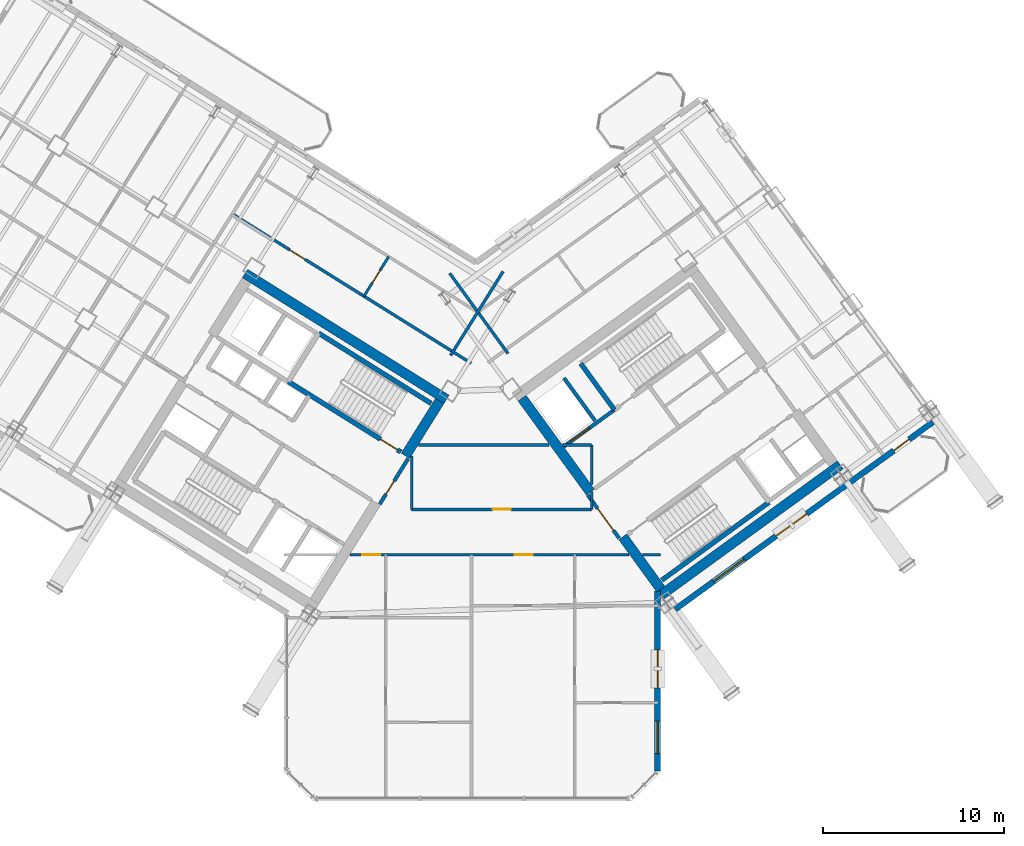
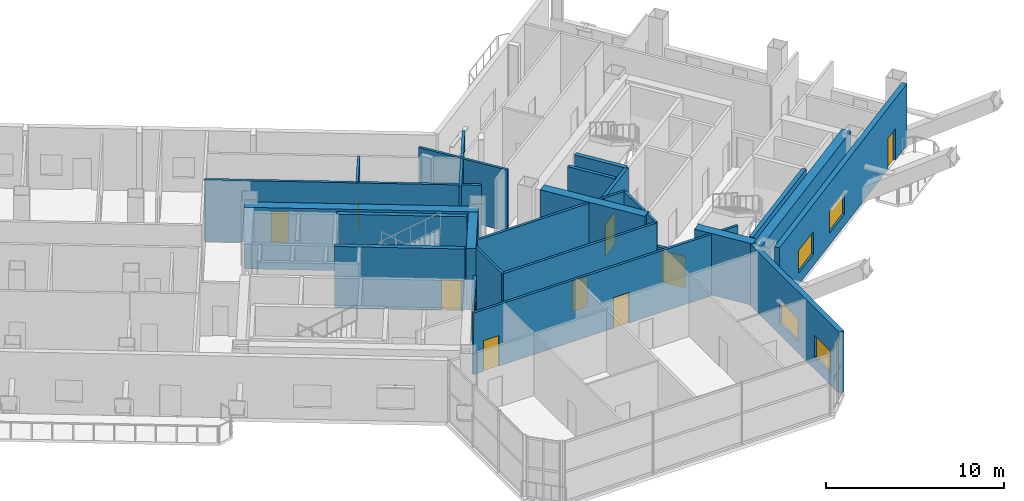
# One storey, part 23 of 32: 27 walls, 10 doors, 4 windows, 14 openings.
"""IFC4 building model written with IfcOpenShell, lengths in metres."""

from ifc_helpers import new_model, si_unit, direction, frame, frame_2d, origin, place, context, subcontext, project, spatial, rectangle, extrude, source, transform, mapped, material, layer, layer_set, type_object, element, fill, save


model = new_model("IFC4")

# Units and contexts
model_context = context("Model", 3, precision=1e-05, world=origin(), true_north=direction((0.0, 1.0)))
body_context = subcontext(model_context, "Body", "Model", "MODEL_VIEW")
ifc_project = project(units=[si_unit("LENGTHUNIT", "METRE"), si_unit("AREAUNIT", "SQUARE_METRE"), si_unit("VOLUMEUNIT", "CUBIC_METRE"), si_unit("PLANEANGLEUNIT", "RADIAN"), si_unit("MASSUNIT", "GRAM", prefix="KILO")], contexts=[model_context])

# Site, building, storey
site_placement = place(None, origin())
site = spatial("IfcSite", under=ifc_project, at=site_placement, CompositionType="ELEMENT")
building_placement = place(site_placement, origin())
building = spatial("IfcBuilding", under=site, at=building_placement, Name="Tlacorven Tower", CompositionType="ELEMENT")
storey_placement = place(building_placement, frame((0.0, 0.0, 123.300048828125)))
storey = spatial("IfcBuildingStorey", under=building, at=storey_placement, Name="L31", CompositionType="ELEMENT", Elevation=123.300048828125)

# Walls
ifc_material_1 = material(Name="Concrete C60/75", Category="concrete")
ifc_layer_1 = layer(ifc_material_1, 0.550048828125)
ifc_layer_set_1 = layer_set([ifc_layer_1], Name="Concrete C60/75")
wall_type_1 = type_object("IfcWallType", Name="WL-COR-550", PredefinedType="SHEAR", material=ifc_layer_set_1)
wall_1_placement = place(storey_placement, frame((40.572998046875, 24.010009765625, 0.0), z_axis=(0.0, 0.0, 1.0), x_axis=(-0.848047359947, 0.529920442413, 0.0)))
element("IfcWall", 1, at=wall_1_placement, inside=storey, type_object=wall_type_1, Name="L31 W core shear wall S1", PredefinedType="SHEAR", context=body_context, shape_type="SweptSolid", body=[
    extrude(rectangle(XDim=13.139892578125, YDim=0.550048828125, at=frame_2d((6.56982421875, 0.0))), origin(), (0.0, 0.0, 1.0), 4.219970703125),
])
wall_2_placement = place(storey_placement, frame((40.194091796875, 23.92236328125, 0.0), z_axis=(0.0, 0.0, 1.0), x_axis=(-0.529888438328, -0.848067357541, 0.0)))
element("IfcWall", 2, at=wall_2_placement, inside=storey, type_object=wall_type_1, Name="L31 W core end wall E1.1", PredefinedType="SHEAR", context=body_context, shape_type="SweptSolid", body=[
    extrude(rectangle(XDim=3.574951171875, YDim=0.550048828125, at=frame_2d((1.78759765625, 0.0))), origin(), (0.0, 0.0, 1.0), 4.219970703125),
])
wall_3_placement = place(storey_placement, frame((52.35888671875, 13.1396484375, 0.0), z_axis=(0.0, 0.0, 1.0), x_axis=(0.809014896919, 0.587788139183, 0.0)))
element("IfcWall", 3, at=wall_3_placement, inside=storey, type_object=wall_type_1, Name="L31 E core shear wall S1", PredefinedType="SHEAR", context=body_context, shape_type="SweptSolid", body=[
    extrude(rectangle(XDim=12.340087890625, YDim=0.550048828125, at=frame_2d((6.169921875, 0.0))), origin(), (0.0, 0.0, 1.0), 4.219970703125),
])
wall_4_placement = place(storey_placement, frame((52.419677734375, 13.52392578125, 0.0), z_axis=(0.0, 0.0, 1.0), x_axis=(-0.587802113096, 0.809004744015, 0.0)))
element("IfcWall", 4, at=wall_4_placement, inside=storey, type_object=wall_type_1, Name="L31 E core end wall E1.1", PredefinedType="SHEAR", context=body_context, shape_type="SweptSolid", body=[
    extrude(rectangle(XDim=3.574951171875, YDim=0.550048828125, at=frame_2d((1.78759765625, 0.0))), origin(), (0.0, 0.0, 1.0), 4.219970703125),
])
wall_5_placement = place(storey_placement, frame((48.525634765625, 18.883544921875, 0.0), z_axis=(0.0, 0.0, 1.0), x_axis=(-0.587764933797, 0.809031756236, 0.0)))
element("IfcWall", 5, at=wall_5_placement, inside=storey, type_object=wall_type_1, Name="L31 E core end wall E1.2", PredefinedType="SHEAR", context=body_context, shape_type="SweptSolid", body=[
    extrude(rectangle(XDim=6.425048828125, YDim=0.550048828125, at=frame_2d((3.21240234375, 0.0))), origin(), (0.0, 0.0, 1.0), 4.219970703125),
])

# Wall, opening, door
ifc_material_2 = material(Name="Gypsum plasterboard acoustic partition", Category="gypsum")
ifc_layer_2 = layer(ifc_material_2, 0.159912109375)
ifc_layer_set_2 = layer_set([ifc_layer_2], Name="Gypsum plasterboard acoustic partition")
wall_type_2 = type_object("IfcWallType", Name="WL-DEM-160", PredefinedType="PARTITIONING", material=ifc_layer_set_2)
wall_6_placement = place(storey_placement, frame((41.93603515625, 26.011962890625, 0.0), z_axis=(0.0, 0.0, 1.0), x_axis=(-0.848051154596, 0.529914369676, 0.0)))
wall_6 = element("IfcWall", 6, at=wall_6_placement, inside=storey, type_object=wall_type_2, Name="L31 partition 66", PredefinedType="PARTITIONING", context=body_context, shape_type="SweptSolid", body=[
    extrude(rectangle(XDim=15.56982421875, YDim=0.159912109375, at=frame_2d((7.784912109375, 0.0))), origin(), (0.0, 0.0, 1.0), 4.2099609375),
])
opening_1_placement = place(wall_6_placement, frame((10.830078125, 0.0, 0.0)))
opening_1 = element("IfcOpeningElement", 7, at=opening_1_placement, cuts=wall_6, Name="Opening D11", PredefinedType="OPENING", context=body_context, shape_type="SweptSolid", body=[
    extrude(rectangle(XDim=1.0, YDim=2.10009765625, at=frame_2d((0.5, 1.050048828125))), frame((0.0, 0.08984375, 0.0), z_axis=(0.0, -1.0, 0.0), x_axis=(1.0, 0.0, 0.0)), (0.0, 0.0, 1.0), 0.179931640625),
])
ifc_material_3 = material(Name="Fire-rated steel door assembly", Category="steel")
door_type_1 = type_object("IfcDoorType", Name="DR-FLT-FD60-1000", OperationType="NOTDEFINED", PredefinedType="DOOR", material=ifc_material_3)
shared_shape_1 = source(origin(), body_context, "Body", "SweptSolid", [
    extrude(rectangle(XDim=1.0, YDim=2.10009765625, at=frame_2d((0.5, 1.050048828125))), frame((0.0, 0.02490234375, 0.0), z_axis=(0.0, -1.0, 0.0), x_axis=(1.0, 0.0, 0.0)), (0.0, 0.0, 1.0), 0.050048828125),
])
door_1_placement = place(opening_1_placement, origin())
door_1 = element("IfcDoor", 8, at=door_1_placement, inside=storey, type_object=door_type_1, Name="L31 door 040", OperationType="SINGLE_SWING_RIGHT", OverallHeight=2.10009765625, OverallWidth=1.0, PredefinedType="DOOR", context=body_context, shape_type="MappedRepresentation", body=[
    mapped(shared_shape_1, transform((0.0, 0.0, 0.0), scale=1.0)),
])
fill(opening_1, door_1)

# Wall
wall_7_placement = place(storey_placement, frame((43.70361328125, 31.086181640625, 0.0), z_axis=(0.0, 0.0, 1.0), x_axis=(-0.529906828443, -0.848055866774, 0.0)))
element("IfcWall", 9, at=wall_7_placement, inside=storey, type_object=wall_type_2, Name="L31 WC West Throat Wall", PredefinedType="PARTITIONING", context=body_context, shape_type="SweptSolid", body=[
    extrude(rectangle(XDim=5.479736328125, YDim=0.159912109375, at=frame_2d((2.73974609375, 0.0))), origin(), (0.0, 0.0, 1.0), 4.2099609375),
])

# Wall, openings, doors
wall_8_placement = place(storey_placement, frame((35.2373046875, 15.419921875, 0.0), z_axis=(0.0, 0.0, 1.0), x_axis=(1.0, 0.0, 0.0)))
wall_8 = element("IfcWall", 10, at=wall_8_placement, inside=storey, type_object=wall_type_2, Name="L31 Knuckle Corridor South Wall", PredefinedType="PARTITIONING", context=body_context, shape_type="SweptSolid", body=[
    extrude(rectangle(XDim=15.431640625, YDim=0.159912109375, at=frame_2d((7.7158203125, 0.0))), origin(), (0.0, 0.0, 1.0), 4.2099609375),
])
opening_2_placement = place(wall_8_placement, frame((0.673583984375, 0.0, 0.0)))
opening_2 = element("IfcOpeningElement", 11, at=opening_2_placement, cuts=wall_8, Name="Opening D11", PredefinedType="OPENING", context=body_context, shape_type="SweptSolid", body=[
    extrude(rectangle(XDim=1.0, YDim=2.10009765625, at=frame_2d((0.5, 1.050048828125))), frame((0.0, 0.08984375, 0.0), z_axis=(0.0, -1.0, 0.0), x_axis=(1.0, 0.0, 0.0)), (0.0, 0.0, 1.0), 0.179931640625),
])
opening_3_placement = place(wall_8_placement, frame((9.093994140625, 0.0, 0.0)))
opening_3 = element("IfcOpeningElement", 12, at=opening_3_placement, cuts=wall_8, Name="Opening D11", PredefinedType="OPENING", context=body_context, shape_type="SweptSolid", body=[
    extrude(rectangle(XDim=1.0, YDim=2.10009765625, at=frame_2d((0.5, 1.050048828125))), frame((0.0, 0.08984375, 0.0), z_axis=(0.0, -1.0, 0.0), x_axis=(1.0, 0.0, 0.0)), (0.0, 0.0, 1.0), 0.179931640625),
])
door_2_placement = place(opening_2_placement, frame((1.0, 0.0, 0.0), z_axis=(0.0, 0.0, 1.0), x_axis=(-1.0, 0.0, 0.0)))
door_2 = element("IfcDoor", 13, at=door_2_placement, inside=storey, type_object=door_type_1, Name="L31 door 048", OperationType="SINGLE_SWING_RIGHT", OverallHeight=2.10009765625, OverallWidth=1.0, PredefinedType="DOOR", context=body_context, shape_type="MappedRepresentation", body=[
    mapped(shared_shape_1, transform((0.0, 0.0, 0.0), scale=1.0)),
])
fill(opening_2, door_2)
door_3_placement = place(opening_3_placement, frame((1.0, 0.0, 0.0), z_axis=(0.0, 0.0, 1.0), x_axis=(-1.0, 0.0, 0.0)))
door_3 = element("IfcDoor", 14, at=door_3_placement, inside=storey, type_object=door_type_1, Name="L31 door 053", OperationType="SINGLE_SWING_LEFT", OverallHeight=2.10009765625, OverallWidth=1.0, PredefinedType="DOOR", context=body_context, shape_type="MappedRepresentation", body=[
    mapped(shared_shape_1, transform((0.0, 0.0, 0.0), scale=1.0)),
])
fill(opening_3, door_3)

# Wall
wall_9_placement = place(storey_placement, frame((51.41552734375, 15.419921875, 0.0), z_axis=(0.0, 0.0, 1.0), x_axis=(1.0, 0.0, 0.0)))
element("IfcWall", 15, at=wall_9_placement, inside=storey, type_object=wall_type_2, Name="L31 Knuckle Corridor South Wall", PredefinedType="PARTITIONING", context=body_context, shape_type="SweptSolid", body=[
    extrude(rectangle(XDim=0.984375, YDim=0.159912109375, at=frame_2d((0.4921875, 0.0))), origin(), (0.0, 0.0, 1.0), 4.2099609375),
])

# Wall, opening, door
wall_10_placement = place(storey_placement, frame((38.64990234375, 17.929931640625, 0.0), z_axis=(0.0, 0.0, 1.0), x_axis=(1.0, 0.0, 0.0)))
wall_10 = element("IfcWall", 16, at=wall_10_placement, inside=storey, type_object=wall_type_2, Name="L31 partition 72", PredefinedType="PARTITIONING", context=body_context, shape_type="SweptSolid", body=[
    extrude(rectangle(XDim=9.9501953125, YDim=0.159912109375, at=frame_2d((4.97509765625, 0.0))), origin(), (0.0, 0.0, 1.0), 4.2099609375),
])
opening_4_placement = place(wall_10_placement, frame((4.47509765625, 0.0, 0.0)))
opening_4 = element("IfcOpeningElement", 17, at=opening_4_placement, cuts=wall_10, Name="Opening D11", PredefinedType="OPENING", context=body_context, shape_type="SweptSolid", body=[
    extrude(rectangle(XDim=1.0, YDim=2.10009765625, at=frame_2d((0.5, 1.050048828125))), frame((0.0, 0.08984375, 0.0), z_axis=(0.0, -1.0, 0.0), x_axis=(1.0, 0.0, 0.0)), (0.0, 0.0, 1.0), 0.179931640625),
])
door_4_placement = place(opening_4_placement, origin())
door_4 = element("IfcDoor", 18, at=door_4_placement, inside=storey, type_object=door_type_1, Name="L31 door 043", OperationType="SINGLE_SWING_LEFT", OverallHeight=2.10009765625, OverallWidth=1.0, PredefinedType="DOOR", context=body_context, shape_type="MappedRepresentation", body=[
    mapped(shared_shape_1, transform((0.0, 0.0, 0.0), scale=1.0)),
])
fill(opening_4, door_4)

# Walls
wall_11_placement = place(storey_placement, frame((38.64990234375, 17.929931640625, 0.0), z_axis=(0.0, 0.0, 1.0), x_axis=(0.0, 1.0, 0.0)))
element("IfcWall", 19, at=wall_11_placement, inside=storey, type_object=wall_type_2, Name="L31 partition 73", PredefinedType="PARTITIONING", context=body_context, shape_type="SweptSolid", body=[
    extrude(rectangle(XDim=2.951416015625, YDim=0.159912109375, at=frame_2d((1.4755859375, 0.0))), origin(), (0.0, 0.0, 1.0), 4.2099609375),
])
wall_12_placement = place(storey_placement, frame((48.60009765625, 17.929931640625, 0.0), z_axis=(0.0, 0.0, 1.0), x_axis=(0.0, 1.0, 0.0)))
element("IfcWall", 20, at=wall_12_placement, inside=storey, type_object=wall_type_2, Name="L31 partition 74", PredefinedType="PARTITIONING", context=body_context, shape_type="SweptSolid", body=[
    extrude(rectangle(XDim=0.99267578125, YDim=0.159912109375, at=frame_2d((0.496337890625, 0.0))), origin(), (0.0, 0.0, 1.0), 4.2099609375),
])
wall_13_placement = place(storey_placement, frame((48.60009765625, 19.295166015625, 0.0), z_axis=(0.0, 0.0, 1.0), x_axis=(0.0, 1.0, 0.0)))
element("IfcWall", 21, at=wall_13_placement, inside=storey, type_object=wall_type_2, Name="L31 partition 74", PredefinedType="PARTITIONING", context=body_context, shape_type="SweptSolid", body=[
    extrude(rectangle(XDim=2.204833984375, YDim=0.159912109375, at=frame_2d((1.1025390625, 0.0))), origin(), (0.0, 0.0, 1.0), 4.2099609375),
])
wall_14_placement = place(storey_placement, frame((39.03662109375, 21.5, 0.0), z_axis=(0.0, 0.0, 1.0), x_axis=(1.0, 0.0, 0.0)))
element("IfcWall", 22, at=wall_14_placement, inside=storey, type_object=wall_type_2, Name="L31 partition 75", PredefinedType="PARTITIONING", context=body_context, shape_type="SweptSolid", body=[
    extrude(rectangle(XDim=7.21484375, YDim=0.159912109375, at=frame_2d((3.607421875, 0.0))), origin(), (0.0, 0.0, 1.0), 4.2099609375),
])
wall_15_placement = place(storey_placement, frame((46.998046875, 21.5, 0.0), z_axis=(0.0, 0.0, 1.0), x_axis=(1.0, 0.0, 0.0)))
element("IfcWall", 23, at=wall_15_placement, inside=storey, type_object=wall_type_2, Name="L31 partition 75", PredefinedType="PARTITIONING", context=body_context, shape_type="SweptSolid", body=[
    extrude(rectangle(XDim=1.60205078125, YDim=0.159912109375, at=frame_2d((0.801025390625, 0.0))), origin(), (0.0, 0.0, 1.0), 4.2099609375),
])
wall_16_placement = place(storey_placement, frame((43.969482421875, 26.549560546875, 0.0), z_axis=(0.0, 0.0, 1.0), x_axis=(-0.587776919386, 0.80902304852, 0.0)))
element("IfcWall", 24, at=wall_16_placement, inside=storey, type_object=wall_type_2, Name="L31 EC West Throat Wall", PredefinedType="PARTITIONING", context=body_context, shape_type="SweptSolid", body=[
    extrude(rectangle(XDim=5.47998046875, YDim=0.159912109375, at=frame_2d((2.739990234375, 0.0))), origin(), (0.0, 0.0, 1.0), 4.2099609375),
])

# Wall, openings, door, windows
ifc_material_4 = material(Name="Precast concrete C45/55", Category="concrete")
ifc_layer_3 = layer(ifc_material_4, 0.320068359375)
ifc_layer_set_3 = layer_set([ifc_layer_3], Name="Precast concrete C45/55")
wall_type_3 = type_object("IfcWallType", Name="WL-EXT-320", PredefinedType="STANDARD", material=ifc_layer_set_3)
wall_17_placement = place(storey_placement, frame((67.45361328125, 22.746826171875, 0.0), z_axis=(0.0, 0.0, 1.0), x_axis=(-0.809021120468, -0.587779573171, 0.0)))
wall_17 = element("IfcWall", 25, at=wall_17_placement, inside=storey, type_object=wall_type_3, Name="L31 Masonry-Frame Recessed Facade Wall 6", PredefinedType="STANDARD", context=body_context, shape_type="SweptSolid", body=[
    extrude(rectangle(XDim=17.587646484375, YDim=0.320068359375, at=frame_2d((8.7939453125, 0.0))), origin(), (0.0, 0.0, 1.0), 4.219970703125),
])
opening_5_placement = place(wall_17_placement, frame((1.611083984375, 0.0, 0.0)))
opening_5 = element("IfcOpeningElement", 26, at=opening_5_placement, cuts=wall_17, Name="Opening D06", PredefinedType="OPENING", context=body_context, shape_type="SweptSolid", body=[
    extrude(rectangle(XDim=1.050048828125, YDim=2.14990234375, at=frame_2d((0.52490234375, 1.074951171875))), frame((0.0, 0.169921875, 0.0), z_axis=(0.0, -1.0, 0.0), x_axis=(1.0, 0.0, 0.0)), (0.0, 0.0, 1.0), 0.340087890625),
])
opening_6_placement = place(wall_17_placement, frame((8.606201171875, 0.0, 0.800048828125)))
opening_6 = element("IfcOpeningElement", 27, at=opening_6_placement, cuts=wall_17, Name="Opening WN04", PredefinedType="OPENING", context=body_context, shape_type="SweptSolid", body=[
    extrude(rectangle(XDim=2.10009765625, YDim=1.550048828125, at=frame_2d((1.050048828125, 0.77490234375))), frame((0.0, 0.169921875, 0.0), z_axis=(0.0, -1.0, 0.0), x_axis=(1.0, 0.0, 0.0)), (0.0, 0.0, 1.0), 0.340087890625),
])
opening_7_placement = place(wall_17_placement, frame((12.881103515625, 0.0, 0.800048828125)))
opening_7 = element("IfcOpeningElement", 28, at=opening_7_placement, cuts=wall_17, Name="Opening WN04", PredefinedType="OPENING", context=body_context, shape_type="SweptSolid", body=[
    extrude(rectangle(XDim=2.10009765625, YDim=1.550048828125, at=frame_2d((1.050048828125, 0.77490234375))), frame((0.0, 0.169921875, 0.0), z_axis=(0.0, -1.0, 0.0), x_axis=(1.0, 0.0, 0.0)), (0.0, 0.0, 1.0), 0.340087890625),
])
ifc_material_5 = material(Name="Powder-coated aluminium and timber door", Category="wood")
door_type_2 = type_object("IfcDoorType", Name="DR-EXT-BALC-1050", OperationType="NOTDEFINED", PredefinedType="DOOR", material=ifc_material_5)
shared_shape_2 = source(origin(), body_context, "Body", "SweptSolid", [
    extrude(rectangle(XDim=1.050048828125, YDim=2.14990234375, at=frame_2d((0.52490234375, 1.074951171875))), frame((0.0, 0.02490234375, 0.0), z_axis=(0.0, -1.0, 0.0), x_axis=(1.0, 0.0, 0.0)), (0.0, 0.0, 1.0), 0.050048828125),
])
door_5_placement = place(opening_5_placement, origin())
door_5 = element("IfcDoor", 29, at=door_5_placement, inside=storey, type_object=door_type_2, Name="L31 Outdoor Access Door BAL-L31-E-OUT", OperationType="SINGLE_SWING_LEFT", OverallHeight=2.14990234375, OverallWidth=1.050048828125, PredefinedType="DOOR", context=body_context, shape_type="MappedRepresentation", body=[
    mapped(shared_shape_2, transform((0.0, 0.0, 0.0), scale=1.0)),
])
fill(opening_5, door_5)
ifc_material_6 = material(Name="Dark solar low-E double glazing in anodised aluminium frame", Category="aluminium")
window_type_1 = type_object("IfcWindowType", Name="WN-APT-2100X1750", PartitioningType="SINGLE_PANEL", PredefinedType="WINDOW", material=ifc_material_6)
shared_shape_3 = source(origin(), body_context, "Body", "SweptSolid", [
    extrude(rectangle(XDim=2.10009765625, YDim=1.550048828125, at=frame_2d((1.050048828125, 0.77490234375))), frame((0.0, 0.030029296875, 0.0), z_axis=(0.0, -1.0, 0.0), x_axis=(1.0, 0.0, 0.0)), (0.0, 0.0, 1.0), 0.06005859375),
])
window_1_placement = place(opening_6_placement, origin())
window_1 = element("IfcWindow", 30, at=window_1_placement, inside=storey, type_object=window_type_1, Name="L31 Recessed Masonry-Frame Window L31-06.1", OverallHeight=1.550048828125, OverallWidth=2.10009765625, PartitioningType="SINGLE_PANEL", PredefinedType="WINDOW", context=body_context, shape_type="MappedRepresentation", body=[
    mapped(shared_shape_3, transform((0.0, 0.0, 0.0), scale=1.0)),
])
fill(opening_6, window_1)
window_2_placement = place(opening_7_placement, origin())
window_2 = element("IfcWindow", 31, at=window_2_placement, inside=storey, type_object=window_type_1, Name="L31 Recessed Masonry-Frame Window L31-06.2", OverallHeight=1.550048828125, OverallWidth=2.10009765625, PartitioningType="SINGLE_PANEL", PredefinedType="WINDOW", context=body_context, shape_type="MappedRepresentation", body=[
    mapped(shared_shape_3, transform((0.0, 0.0, 0.0), scale=1.0)),
])
fill(opening_7, window_2)

# Wall, openings, windows
wall_18_placement = place(storey_placement, frame((52.239990234375, 13.4140625, 0.0), z_axis=(0.0, 0.0, 1.0), x_axis=(0.0, -1.0, 0.0)))
wall_18 = element("IfcWall", 32, at=wall_18_placement, inside=storey, type_object=wall_type_3, Name="L31 Masonry-Frame Recessed Facade Wall 7", PredefinedType="STANDARD", context=body_context, shape_type="SweptSolid", body=[
    extrude(rectangle(XDim=9.94775390625, YDim=0.320068359375, at=frame_2d((4.973876953125, 0.0))), origin(), (0.0, 0.0, 1.0), 4.219970703125),
])
opening_8_placement = place(wall_18_placement, frame((3.246826171875, 0.0, 0.800048828125)))
opening_8 = element("IfcOpeningElement", 33, at=opening_8_placement, cuts=wall_18, Name="Opening WN04", PredefinedType="OPENING", context=body_context, shape_type="SweptSolid", body=[
    extrude(rectangle(XDim=2.10009765625, YDim=1.550048828125, at=frame_2d((1.050048828125, 0.77490234375))), frame((0.0, 0.169921875, 0.0), z_axis=(0.0, -1.0, 0.0), x_axis=(1.0, 0.0, 0.0)), (0.0, 0.0, 1.0), 0.340087890625),
])
opening_9_placement = place(wall_18_placement, frame((7.183349609375, 0.0, 0.85009765625)))
opening_9 = element("IfcOpeningElement", 34, at=opening_9_placement, cuts=wall_18, Name="Opening WN01", PredefinedType="OPENING", context=body_context, shape_type="SweptSolid", body=[
    extrude(rectangle(XDim=1.800048828125, YDim=1.5, at=frame_2d((0.89990234375, 0.75))), frame((0.0, 0.169921875, 0.0), z_axis=(0.0, -1.0, 0.0), x_axis=(1.0, 0.0, 0.0)), (0.0, 0.0, 1.0), 0.340087890625),
])
window_3_placement = place(opening_8_placement, origin())
window_3 = element("IfcWindow", 35, at=window_3_placement, inside=storey, type_object=window_type_1, Name="L31 Recessed Masonry-Frame Window L31-07.1", OverallHeight=1.550048828125, OverallWidth=2.10009765625, PartitioningType="SINGLE_PANEL", PredefinedType="WINDOW", context=body_context, shape_type="MappedRepresentation", body=[
    mapped(shared_shape_3, transform((0.0, 0.0, 0.0), scale=1.0)),
])
fill(opening_8, window_3)
window_type_2 = type_object("IfcWindowType", Name="WN-APT-1800X1650", PartitioningType="SINGLE_PANEL", PredefinedType="WINDOW", material=ifc_material_6)
shared_shape_4 = source(origin(), body_context, "Body", "SweptSolid", [
    extrude(rectangle(XDim=1.800048828125, YDim=1.5, at=frame_2d((0.89990234375, 0.75))), frame((0.0, 0.030029296875, 0.0), z_axis=(0.0, -1.0, 0.0), x_axis=(1.0, 0.0, 0.0)), (0.0, 0.0, 1.0), 0.06005859375),
])
window_4_placement = place(opening_9_placement, origin())
window_4 = element("IfcWindow", 36, at=window_4_placement, inside=storey, type_object=window_type_2, Name="L31 Recessed Masonry-Frame Window L31-07.2", OverallHeight=1.5, OverallWidth=1.800048828125, PartitioningType="SINGLE_PANEL", PredefinedType="WINDOW", context=body_context, shape_type="MappedRepresentation", body=[
    mapped(shared_shape_4, transform((0.0, 0.0, 0.0), scale=1.0)),
])
fill(opening_9, window_4)

# Wall, opening, door
ifc_material_7 = material(Name="Moisture-resistant gypsum plumbing wall", Category="gypsum")
ifc_layer_4 = layer(ifc_material_7, 0.139892578125)
ifc_layer_set_4 = layer_set([ifc_layer_4], Name="Moisture-resistant gypsum plumbing wall")
wall_type_4 = type_object("IfcWallType", Name="WL-PLM-140", PredefinedType="PLUMBINGWALL", material=ifc_layer_set_4)
wall_19_placement = place(storey_placement, frame((37.37548828125, 31.904052734375, 0.0), z_axis=(0.0, 0.0, 1.0), x_axis=(-0.529913878929, -0.848051461244, 0.0)))
wall_19 = element("IfcWall", 37, at=wall_19_placement, inside=storey, type_object=wall_type_4, Name="L31 partition 69", PredefinedType="PLUMBINGWALL", context=body_context, shape_type="SweptSolid", body=[
    extrude(rectangle(XDim=2.580078125, YDim=0.139892578125, at=frame_2d((1.2900390625, 0.0))), origin(), (0.0, 0.0, 1.0), 4.2099609375),
])
opening_10_placement = place(wall_19_placement, frame((0.89990234375, 0.0, 0.0)))
opening_10 = element("IfcOpeningElement", 38, at=opening_10_placement, cuts=wall_19, Name="Opening D22", PredefinedType="OPENING", context=body_context, shape_type="SweptSolid", body=[
    extrude(rectangle(XDim=0.780029296875, YDim=2.050048828125, at=frame_2d((0.39013671875, 1.02490234375))), frame((0.0, 0.080078125, 0.0), z_axis=(0.0, -1.0, 0.0), x_axis=(1.0, 0.0, 0.0)), (0.0, 0.0, 1.0), 0.159912109375),
])
door_type_3 = type_object("IfcDoorType", Name="DR-INT-WET-0780", OperationType="NOTDEFINED", PredefinedType="DOOR", material=ifc_material_5)
shared_shape_5 = source(origin(), body_context, "Body", "SweptSolid", [
    extrude(rectangle(XDim=0.780029296875, YDim=2.050048828125, at=frame_2d((0.39013671875, 1.02490234375))), frame((0.0, 0.02490234375, 0.0), z_axis=(0.0, -1.0, 0.0), x_axis=(1.0, 0.0, 0.0)), (0.0, 0.0, 1.0), 0.050048828125),
])
door_6_placement = place(opening_10_placement, origin())
door_6 = element("IfcDoor", 39, at=door_6_placement, inside=storey, type_object=door_type_3, Name="L31 door 042", OperationType="SINGLE_SWING_RIGHT", OverallHeight=2.050048828125, OverallWidth=0.780029296875, PredefinedType="DOOR", context=body_context, shape_type="MappedRepresentation", body=[
    mapped(shared_shape_5, transform((0.0, 0.0, 0.0), scale=1.0)),
])
fill(opening_10, door_6)

ifc_material_8 = material(Name="Concrete C40/50", Category="concrete")
ifc_layer_5 = layer(ifc_material_8, 0.199951171875)
ifc_layer_set_5 = layer_set([ifc_layer_5], Name="Concrete C40/50")
wall_type_5 = type_object("IfcWallType", Name="WL-SHF-200", PredefinedType="STANDARD", material=ifc_layer_set_5)
wall_20_placement = place(storey_placement, frame((47.0654296875, 21.4072265625, 0.0), z_axis=(0.0, 0.0, 1.0), x_axis=(0.809032984992, 0.587763242466, 0.0)))
wall_20 = element("IfcWall", 40, at=wall_20_placement, inside=storey, type_object=wall_type_5, Name="L31 Core E Firefighting Lift Shaft Front Wall", PredefinedType="STANDARD", context=body_context, shape_type="SweptSolid", body=[
    extrude(rectangle(XDim=3.447998046875, YDim=0.199951171875, at=frame_2d((1.72412109375, 0.0))), origin(), (0.0, 0.0, 1.0), 4.2099609375),
])
opening_11_placement = place(wall_20_placement, frame((0.4580078125, 0.0, 0.0)))
opening_11 = element("IfcOpeningElement", 41, at=opening_11_placement, cuts=wall_20, Name="Opening LD03", PredefinedType="OPENING", context=body_context, shape_type="SweptSolid", body=[
    extrude(rectangle(XDim=1.300048828125, YDim=2.199951171875, at=frame_2d((0.64990234375, 1.10009765625))), frame((0.0, 0.10986328125, 0.0), z_axis=(0.0, -1.0, 0.0), x_axis=(1.0, 0.0, 0.0)), (0.0, 0.0, 1.0), 0.219970703125),
])
door_type_4 = type_object("IfcDoorType", Name="DR-LFT-SLID-1300", OperationType="DOUBLE_DOOR_SLIDING", PredefinedType="DOOR", material=ifc_material_3)
shared_shape_6 = source(origin(), body_context, "Body", "SweptSolid", [
    extrude(rectangle(XDim=1.300048828125, YDim=2.199951171875, at=frame_2d((0.64990234375, 1.10009765625))), frame((0.0, 0.02490234375, 0.0), z_axis=(0.0, -1.0, 0.0), x_axis=(1.0, 0.0, 0.0)), (0.0, 0.0, 1.0), 0.050048828125),
])
door_7_placement = place(opening_11_placement, origin())
door_7 = element("IfcDoor", 42, at=door_7_placement, inside=storey, type_object=door_type_4, Name="L31 Lift FFL-E1 Sliding Landing Door", OperationType="DOUBLE_DOOR_SLIDING", OverallHeight=2.199951171875, OverallWidth=1.300048828125, PredefinedType="DOOR", context=body_context, shape_type="MappedRepresentation", body=[
    mapped(shared_shape_6, transform((0.0, 0.0, 0.0), scale=1.0)),
])
fill(opening_11, door_7)

# Wall
wall_21_placement = place(storey_placement, frame((48.78564453125, 22.830078125, 0.0), z_axis=(0.0, 0.0, 1.0), x_axis=(-0.587783856777, 0.809018008275, 0.0)))
element("IfcWall", 43, at=wall_21_placement, inside=storey, type_object=wall_type_5, Name="L31 partition 33", PredefinedType="STANDARD", context=body_context, shape_type="SweptSolid", body=[
    extrude(rectangle(XDim=2.919921875, YDim=0.199951171875, at=frame_2d((1.4599609375, 0.0))), origin(), (0.0, 0.0, 1.0), 4.2099609375),
])

# Wall, opening, door
wall_22_placement = place(storey_placement, frame((38.451416015625, 20.737060546875, 0.0), z_axis=(0.0, 0.0, 1.0), x_axis=(-0.529924799939, -0.848044637038, 0.0)))
wall_22 = element("IfcWall", 44, at=wall_22_placement, inside=storey, type_object=wall_type_5, Name="L31 partition 70", PredefinedType="STANDARD", context=body_context, shape_type="SweptSolid", body=[
    extrude(rectangle(XDim=2.9599609375, YDim=0.199951171875, at=frame_2d((1.47998046875, 0.0))), origin(), (0.0, 0.0, 1.0), 2.39501953125),
])
opening_12_placement = place(wall_22_placement, frame((1.4599609375, 0.0, 0.0)))
opening_12 = element("IfcOpeningElement", 45, at=opening_12_placement, cuts=wall_22, Name="Opening D19", PredefinedType="OPENING", context=body_context, shape_type="SweptSolid", body=[
    extrude(rectangle(XDim=0.860107421875, YDim=2.050048828125, at=frame_2d((0.43017578125, 1.02490234375))), frame((0.0, 0.10986328125, 0.0), z_axis=(0.0, -1.0, 0.0), x_axis=(1.0, 0.0, 0.0)), (0.0, 0.0, 1.0), 0.219970703125),
])
door_type_5 = type_object("IfcDoorType", Name="DR-RSR-FD60-0860", OperationType="NOTDEFINED", PredefinedType="DOOR", material=ifc_material_3)
shared_shape_7 = source(origin(), body_context, "Body", "SweptSolid", [
    extrude(rectangle(XDim=0.860107421875, YDim=2.050048828125, at=frame_2d((0.43017578125, 1.02490234375))), frame((0.0, 0.02490234375, 0.0), z_axis=(0.0, -1.0, 0.0), x_axis=(1.0, 0.0, 0.0)), (0.0, 0.0, 1.0), 0.050048828125),
])
door_8_placement = place(opening_12_placement, frame((0.860107421875, 0.0, 0.0), z_axis=(0.0, 0.0, 1.0), x_axis=(-1.0, 0.0, 0.0)))
door_8 = element("IfcDoor", 46, at=door_8_placement, inside=storey, type_object=door_type_5, Name="L31 door 044", OperationType="SINGLE_SWING_LEFT", OverallHeight=2.050048828125, OverallWidth=0.860107421875, PredefinedType="DOOR", context=body_context, shape_type="MappedRepresentation", body=[
    mapped(shared_shape_7, transform((0.0, 0.0, 0.0), scale=1.0)),
])
fill(opening_12, door_8)

wall_23_placement = place(storey_placement, frame((50.119140625, 16.3330078125, 0.0), z_axis=(0.0, 0.0, 1.0), x_axis=(-0.587749856981, 0.809042709391, 0.0)))
wall_23 = element("IfcWall", 47, at=wall_23_placement, inside=storey, type_object=wall_type_5, Name="L31 partition 76", PredefinedType="STANDARD", context=body_context, shape_type="SweptSolid", body=[
    extrude(rectangle(XDim=2.9599609375, YDim=0.199951171875, at=frame_2d((1.47998046875, 0.0))), origin(), (0.0, 0.0, 1.0), 2.39501953125),
])
opening_13_placement = place(wall_23_placement, frame((0.530029296875, 0.0, 0.0)))
opening_13 = element("IfcOpeningElement", 48, at=opening_13_placement, cuts=wall_23, Name="Opening D10", PredefinedType="OPENING", context=body_context, shape_type="SweptSolid", body=[
    extrude(rectangle(XDim=1.5, YDim=2.14990234375, at=frame_2d((0.75, 1.074951171875))), frame((0.0, 0.10986328125, 0.0), z_axis=(0.0, -1.0, 0.0), x_axis=(1.0, 0.0, 0.0)), (0.0, 0.0, 1.0), 0.219970703125),
])
door_type_6 = type_object("IfcDoorType", Name="DR-LOB-FD60-1500", OperationType="DOUBLE_DOOR_SINGLE_SWING", PredefinedType="DOOR", material=ifc_material_3)
shared_shape_8 = source(origin(), body_context, "Body", "SweptSolid", [
    extrude(rectangle(XDim=1.5, YDim=2.14990234375, at=frame_2d((0.75, 1.074951171875))), frame((0.0, 0.02490234375, 0.0), z_axis=(0.0, -1.0, 0.0), x_axis=(1.0, 0.0, 0.0)), (0.0, 0.0, 1.0), 0.050048828125),
])
door_9_placement = place(opening_13_placement, frame((1.5, 0.0, 0.0), z_axis=(0.0, 0.0, 1.0), x_axis=(-1.0, 0.0, 0.0)))
door_9 = element("IfcDoor", 49, at=door_9_placement, inside=storey, type_object=door_type_6, Name="L31 door 045", OperationType="DOUBLE_DOOR_SINGLE_SWING", OverallHeight=2.14990234375, OverallWidth=1.5, PredefinedType="DOOR", context=body_context, shape_type="MappedRepresentation", body=[
    mapped(shared_shape_8, transform((0.0, 0.0, 0.0), scale=1.0)),
])
fill(opening_13, door_9)

# Wall
ifc_material_9 = material(Name="Concrete C50/60", Category="concrete")
ifc_layer_6 = layer(ifc_material_9, 0.260009765625)
ifc_layer_set_6 = layer_set([ifc_layer_6], Name="Concrete C50/60")
wall_type_6 = type_object("IfcWallType", Name="WL-STW-260", PredefinedType="SHEAR", material=ifc_layer_set_6)
wall_24_placement = place(storey_placement, frame((39.720947265625, 23.787841796875, 0.0), z_axis=(0.0, 0.0, 1.0), x_axis=(-0.848054434086, 0.529909121291, 0.0)))
element("IfcWall", 50, at=wall_24_placement, inside=storey, type_object=wall_type_6, Name="L31 Stair W2 Far Shear Wall", PredefinedType="SHEAR", context=body_context, shape_type="SweptSolid", body=[
    extrude(rectangle(XDim=7.330078125, YDim=0.260009765625, at=frame_2d((3.6650390625, 0.0))), origin(), (0.0, 0.0, 1.0), 4.219970703125),
])

# Wall, opening, door
wall_25_placement = place(storey_placement, frame((38.04638671875, 21.10791015625, 0.0), z_axis=(0.0, 0.0, 1.0), x_axis=(-0.848054434086, 0.529909121291, 0.0)))
wall_25 = element("IfcWall", 51, at=wall_25_placement, inside=storey, type_object=wall_type_6, Name="L31 Stair W2 Lobby Shear Wall", PredefinedType="SHEAR", context=body_context, shape_type="SweptSolid", body=[
    extrude(rectangle(XDim=7.330078125, YDim=0.260009765625, at=frame_2d((3.6650390625, 0.0))), origin(), (0.0, 0.0, 1.0), 4.219970703125),
])
opening_14_placement = place(wall_25_placement, frame((0.219970703125, 0.0, 0.0)))
opening_14 = element("IfcOpeningElement", 52, at=opening_14_placement, cuts=wall_25, Name="Opening D07", PredefinedType="OPENING", context=body_context, shape_type="SweptSolid", body=[
    extrude(rectangle(XDim=1.10009765625, YDim=2.10009765625, at=frame_2d((0.550048828125, 1.050048828125))), frame((0.0, 0.14013671875, 0.0), z_axis=(0.0, -1.0, 0.0), x_axis=(1.0, 0.0, 0.0)), (0.0, 0.0, 1.0), 0.280029296875),
])
door_type_7 = type_object("IfcDoorType", Name="DR-STR-FD90-1100", OperationType="NOTDEFINED", PredefinedType="DOOR", material=ifc_material_3)
shared_shape_9 = source(origin(), body_context, "Body", "SweptSolid", [
    extrude(rectangle(XDim=1.10009765625, YDim=2.10009765625, at=frame_2d((0.550048828125, 1.050048828125))), frame((0.0, 0.02490234375, 0.0), z_axis=(0.0, -1.0, 0.0), x_axis=(1.0, 0.0, 0.0)), (0.0, 0.0, 1.0), 0.050048828125),
])
door_10_placement = place(opening_14_placement, origin())
door_10 = element("IfcDoor", 53, at=door_10_placement, inside=storey, type_object=door_type_7, Name="L31 Exit Stair W2 Fire Door", OperationType="SINGLE_SWING_RIGHT", OverallHeight=2.10009765625, OverallWidth=1.10009765625, PredefinedType="DOOR", context=body_context, shape_type="MappedRepresentation", body=[
    mapped(shared_shape_9, transform((0.0, 0.0, 0.0), scale=1.0)),
])
fill(opening_14, door_10)

# Walls
wall_26_placement = place(storey_placement, frame((49.85498046875, 23.433837890625, 0.0), z_axis=(0.0, 0.0, 1.0), x_axis=(-0.58776738483, 0.809029975545, 0.0)))
element("IfcWall", 54, at=wall_26_placement, inside=storey, type_object=wall_type_6, Name="L31 Stair E1 West Shear Wall", PredefinedType="SHEAR", context=body_context, shape_type="SweptSolid", body=[
    extrude(rectangle(XDim=3.16015625, YDim=0.260009765625, at=frame_2d((1.580078125, 0.0))), origin(), (0.0, 0.0, 1.0), 4.219970703125),
])
wall_27_placement = place(storey_placement, frame((52.47216796875, 14.01318359375, 0.0), z_axis=(0.0, 0.0, 1.0), x_axis=(0.809028366311, 0.587769599847, 0.0)))
element("IfcWall", 55, at=wall_27_placement, inside=storey, type_object=wall_type_6, Name="L31 Stair E2 Far Shear Wall", PredefinedType="SHEAR", context=body_context, shape_type="SweptSolid", body=[
    extrude(rectangle(XDim=7.330078125, YDim=0.260009765625, at=frame_2d((3.6650390625, 0.0))), origin(), (0.0, 0.0, 1.0), 4.219970703125),
])

save(model, "model.ifc")
